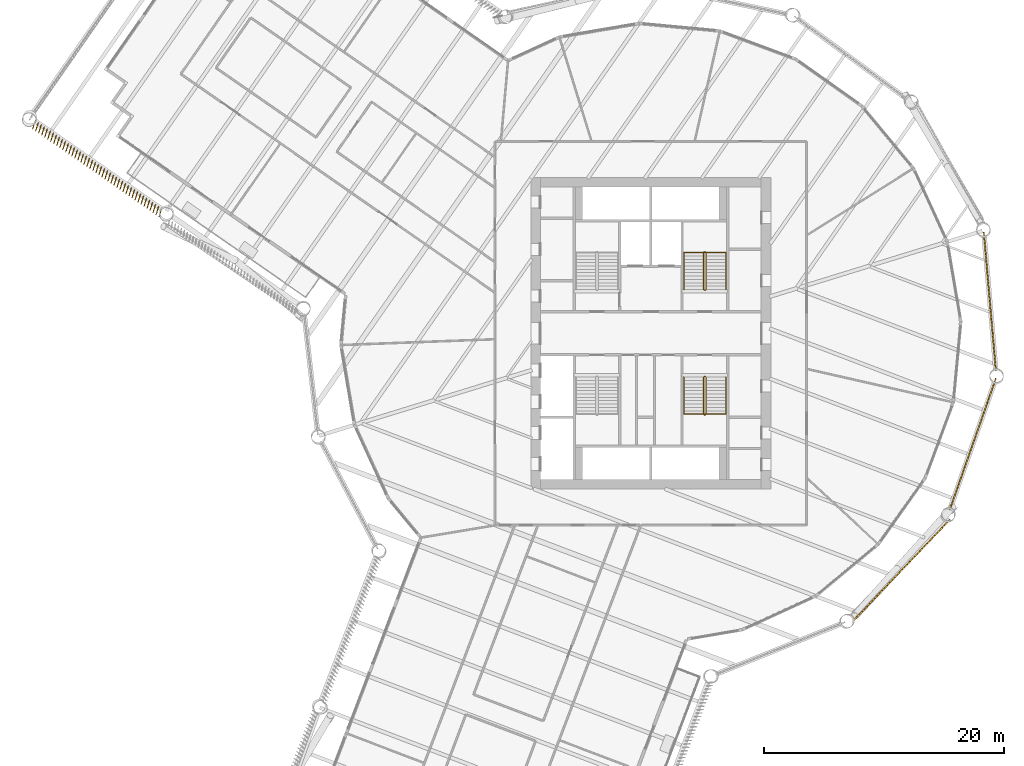
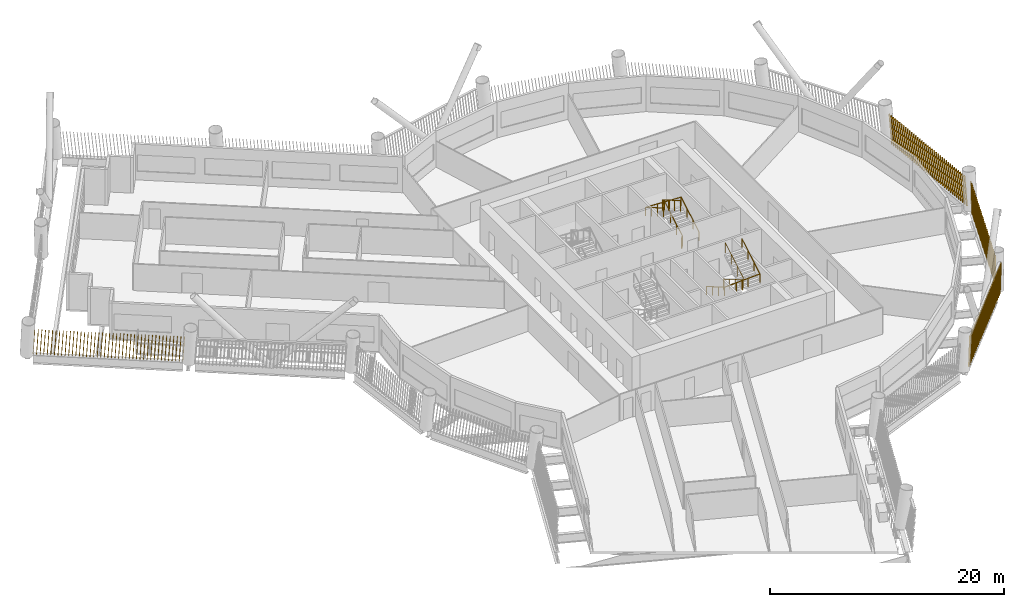
# One storey, part 20 of 23: 4 railings, 4 shading devices.
"""IFC4 building model written with IfcOpenShell, lengths in metres."""

from ifc_helpers import new_model, si_unit, direction, frame, frame_2d, origin, origin_2d, place, context, subcontext, project, spatial, rectangle, circle, composite_profile, extrude, material, type_object, element, save


model = new_model("IFC4")

# Units and contexts
model_context = context("Model", 3, precision=1e-05, world=origin(), true_north=direction((0.0, 1.0)))
body_context = subcontext(model_context, "Body", "Model", "MODEL_VIEW")
ifc_project = project(units=[si_unit("LENGTHUNIT", "METRE"), si_unit("AREAUNIT", "SQUARE_METRE"), si_unit("VOLUMEUNIT", "CUBIC_METRE"), si_unit("PLANEANGLEUNIT", "RADIAN"), si_unit("MASSUNIT", "GRAM", prefix="KILO")], contexts=[model_context])

# Site, building, storey
site_placement = place(None, origin())
site = spatial("IfcSite", under=ifc_project, at=site_placement, CompositionType="ELEMENT")
building_placement = place(site_placement, origin())
building = spatial("IfcBuilding", under=site, at=building_placement, Name="Tarsis Ring Headquarters", CompositionType="ELEMENT")
storey_placement = place(building_placement, frame((0.0, 0.0, 131.800048828125)))
storey = spatial("IfcBuildingStorey", under=building, at=storey_placement, Name="L30", CompositionType="ELEMENT", Elevation=131.800048828125)

# Railings
ifc_material_1 = material(Name="Steel S355", Category="steel")
railing_type_1 = type_object("IfcRailingType", Name="Core stair guard 1100", PredefinedType="GUARDRAIL", material=ifc_material_1)
railing_1_placement = place(storey_placement, frame((4.4599609375, 3.610107421875, 0.0)))
element("IfcRailing", 1, at=railing_1_placement, inside=storey, type_object=railing_type_1, Name="L30 ST2 stair guard 1", PredefinedType="GUARDRAIL", context=body_context, shape_type="SweptSolid", body=[
    extrude(circle(Radius=0.02392578125, at=origin_2d()), frame((0.0, 0.0, 1.076171875), z_axis=(1.0, 0.0, 0.0), x_axis=(0.0, 1.0, 0.0)), (0.0, 0.0, 1.0), 0.080078125),
    extrude(circle(Radius=0.02392578125, at=origin_2d()), frame((0.080078125, 0.0, 1.076171875), z_axis=(0.282693820306, 0.281314826061, 0.917031173188), x_axis=(-0.705375805398, 0.708833529934, 0.0)), (0.0, 0.0, 1.0), 0.177001953125),
    extrude(circle(Radius=0.02392578125, at=origin_2d()), frame((0.130126953125, 0.0498046875, 1.23828125), z_axis=(0.0, 0.864890721111, 0.501960198159), x_axis=(-1.0, 0.0, 0.0)), (0.0, 0.0, 1.0), 3.561279296875),
    extrude(circle(Radius=0.02392578125, at=origin_2d()), frame((0.130126953125, 3.1298828125, 3.02587890625), z_axis=(-0.707106781187, 0.707106781187, 0.0), x_axis=(-0.707106781187, -0.707106781187, 0.0)), (0.0, 0.0, 1.0), 0.07080078125),
    extrude(circle(Radius=0.02392578125, at=origin_2d()), frame((0.080078125, 3.179931640625, 3.02587890625), z_axis=(-1.0, 0.0, 0.0), x_axis=(0.0, -1.0, 0.0)), (0.0, 0.0, 1.0), 0.080078125),
    extrude(circle(Radius=0.02392578125, at=origin_2d()), frame((0.0, 3.179931640625, 3.02587890625), z_axis=(-0.282227285176, -0.282227285176, 0.916894497205), x_axis=(0.707106781187, -0.707106781187, 0.0)), (0.0, 0.0, 1.0), 0.17724609375),
    extrude(circle(Radius=0.02392578125, at=origin_2d()), frame((-0.050048828125, 3.1298828125, 3.1884765625), z_axis=(0.0, -0.864920483161, 0.501908913857), x_axis=(1.0, 0.0, 0.0)), (0.0, 0.0, 1.0), 3.56103515625),
    extrude(circle(Radius=0.02099609375, at=origin_2d()), origin(), (0.0, 0.0, 1.0), 1.052001953125),
    extrude(circle(Radius=0.02099609375, at=origin_2d()), frame((0.080078125, 0.0, 0.0)), (0.0, 0.0, 1.0), 1.052001953125),
    extrude(circle(Radius=0.02099609375, at=origin_2d()), frame((0.130126953125, 0.0498046875, 0.162353515625)), (0.0, 0.0, 1.0), 1.052001953125),
    extrude(circle(Radius=0.02099609375, at=origin_2d()), frame((0.130126953125, 1.076416015625, 0.75830078125)), (0.0, 0.0, 1.0), 1.052001953125),
    extrude(circle(Radius=0.02099609375, at=origin_2d()), frame((0.130126953125, 2.103271484375, 1.35400390625)), (0.0, 0.0, 1.0), 1.052001953125),
    extrude(circle(Radius=0.02099609375, at=origin_2d()), frame((0.130126953125, 3.1298828125, 1.949951171875)), (0.0, 0.0, 1.0), 1.052001953125),
    extrude(circle(Radius=0.02099609375, at=origin_2d()), frame((0.080078125, 3.179931640625, 1.949951171875)), (0.0, 0.0, 1.0), 1.052001953125),
    extrude(circle(Radius=0.02099609375, at=origin_2d()), frame((0.0, 3.179931640625, 1.949951171875)), (0.0, 0.0, 1.0), 1.052001953125),
    extrude(circle(Radius=0.02099609375, at=origin_2d()), frame((-0.050048828125, 3.1298828125, 2.112548828125)), (0.0, 0.0, 1.0), 1.052001953125),
    extrude(circle(Radius=0.02099609375, at=origin_2d()), frame((-0.050048828125, 2.103271484375, 2.708251953125)), (0.0, 0.0, 1.0), 1.052001953125),
    extrude(circle(Radius=0.02099609375, at=origin_2d()), frame((-0.050048828125, 1.076416015625, 3.30419921875)), (0.0, 0.0, 1.0), 1.052001953125),
    extrude(circle(Radius=0.02099609375, at=origin_2d()), frame((-0.050048828125, 0.0498046875, 3.89990234375)), (0.0, 0.0, 1.0), 1.052001953125),
])
railing_2_placement = place(storey_placement, frame((4.5400390625, -3.610107421875, 0.0)))
element("IfcRailing", 2, at=railing_2_placement, inside=storey, type_object=railing_type_1, Name="L30 ST4 stair guard 1", PredefinedType="GUARDRAIL", context=body_context, shape_type="SweptSolid", body=[
    extrude(circle(Radius=0.02392578125, at=origin_2d()), frame((0.0, 0.0, 1.076171875), z_axis=(-1.0, 0.0, 0.0), x_axis=(0.0, -1.0, 0.0)), (0.0, 0.0, 1.0), 0.080078125),
    extrude(circle(Radius=0.02392578125, at=origin_2d()), frame((-0.080078125, 0.0, 1.076171875), z_axis=(-0.282693820306, -0.281314826061, 0.917031173188), x_axis=(0.705375805398, -0.708833529934, 0.0)), (0.0, 0.0, 1.0), 0.177001953125),
    extrude(circle(Radius=0.02392578125, at=origin_2d()), frame((-0.130126953125, -0.0498046875, 1.23828125), z_axis=(0.0, -0.864890721111, 0.501960198159), x_axis=(1.0, 0.0, 0.0)), (0.0, 0.0, 1.0), 3.561279296875),
    extrude(circle(Radius=0.02392578125, at=origin_2d()), frame((-0.130126953125, -3.1298828125, 3.02587890625), z_axis=(0.707106781187, -0.707106781187, 0.0), x_axis=(0.707106781187, 0.707106781187, 0.0)), (0.0, 0.0, 1.0), 0.07080078125),
    extrude(circle(Radius=0.02392578125, at=origin_2d()), frame((-0.080078125, -3.179931640625, 3.02587890625), z_axis=(1.0, 0.0, 0.0), x_axis=(0.0, 1.0, 0.0)), (0.0, 0.0, 1.0), 0.080078125),
    extrude(circle(Radius=0.02392578125, at=origin_2d()), frame((0.0, -3.179931640625, 3.02587890625), z_axis=(0.282227285176, 0.282227285176, 0.916894497205), x_axis=(-0.707106781187, 0.707106781187, 0.0)), (0.0, 0.0, 1.0), 0.17724609375),
    extrude(circle(Radius=0.02392578125, at=origin_2d()), frame((0.050048828125, -3.1298828125, 3.1884765625), z_axis=(0.0, 0.864920483161, 0.501908913857), x_axis=(-1.0, 0.0, 0.0)), (0.0, 0.0, 1.0), 3.56103515625),
    extrude(circle(Radius=0.02099609375, at=origin_2d()), origin(), (0.0, 0.0, 1.0), 1.052001953125),
    extrude(circle(Radius=0.02099609375, at=origin_2d()), frame((-0.080078125, 0.0, 0.0)), (0.0, 0.0, 1.0), 1.052001953125),
    extrude(circle(Radius=0.02099609375, at=origin_2d()), frame((-0.130126953125, -0.0498046875, 0.162353515625)), (0.0, 0.0, 1.0), 1.052001953125),
    extrude(circle(Radius=0.02099609375, at=origin_2d()), frame((-0.130126953125, -1.076416015625, 0.75830078125)), (0.0, 0.0, 1.0), 1.052001953125),
    extrude(circle(Radius=0.02099609375, at=origin_2d()), frame((-0.130126953125, -2.103271484375, 1.35400390625)), (0.0, 0.0, 1.0), 1.052001953125),
    extrude(circle(Radius=0.02099609375, at=origin_2d()), frame((-0.130126953125, -3.1298828125, 1.949951171875)), (0.0, 0.0, 1.0), 1.052001953125),
    extrude(circle(Radius=0.02099609375, at=origin_2d()), frame((-0.080078125, -3.179931640625, 1.949951171875)), (0.0, 0.0, 1.0), 1.052001953125),
    extrude(circle(Radius=0.02099609375, at=origin_2d()), frame((0.0, -3.179931640625, 1.949951171875)), (0.0, 0.0, 1.0), 1.052001953125),
    extrude(circle(Radius=0.02099609375, at=origin_2d()), frame((0.050048828125, -3.1298828125, 2.112548828125)), (0.0, 0.0, 1.0), 1.052001953125),
    extrude(circle(Radius=0.02099609375, at=origin_2d()), frame((0.050048828125, -2.103271484375, 2.708251953125)), (0.0, 0.0, 1.0), 1.052001953125),
    extrude(circle(Radius=0.02099609375, at=origin_2d()), frame((0.050048828125, -1.076416015625, 3.30419921875)), (0.0, 0.0, 1.0), 1.052001953125),
    extrude(circle(Radius=0.02099609375, at=origin_2d()), frame((0.050048828125, -0.0498046875, 3.89990234375)), (0.0, 0.0, 1.0), 1.052001953125),
])
railing_type_2 = type_object("IfcRailingType", Name="Core stair handrail 900", PredefinedType="HANDRAIL", material=ifc_material_1)
railing_3_placement = place(storey_placement, frame((6.25, 3.659912109375, 0.162353515625)))
element("IfcRailing", 3, at=railing_3_placement, inside=storey, type_object=railing_type_2, Name="L30 ST2 stair handrail 1", PredefinedType="HANDRAIL", context=body_context, shape_type="SweptSolid", body=[
    extrude(circle(Radius=0.02392578125, at=origin_2d()), frame((0.0, 0.0, 0.8759765625), z_axis=(0.0, 0.864890721111, 0.501960198159), x_axis=(-1.0, 0.0, 0.0)), (0.0, 0.0, 1.0), 3.561279296875),
    extrude(circle(Radius=0.02392578125, at=origin_2d()), frame((0.0, 3.080078125, 2.66357421875), z_axis=(-0.998922641604, 0.0, 0.046406422943), x_axis=(0.0, -1.0, 0.0)), (0.0, 0.0, 1.0), 3.503662109375),
    extrude(circle(Radius=0.02392578125, at=origin_2d()), frame((-3.5, 3.080078125, 2.826171875), z_axis=(0.0, -0.864920483161, 0.501908913857), x_axis=(1.0, 0.0, 0.0)), (0.0, 0.0, 1.0), 3.56103515625),
    extrude(circle(Radius=0.02099609375, at=origin_2d()), origin(), (0.0, 0.0, 1.0), 0.851806640625),
    extrude(circle(Radius=0.02099609375, at=origin_2d()), frame((0.0, 1.026611328125, 0.595947265625)), (0.0, 0.0, 1.0), 0.851806640625),
    extrude(circle(Radius=0.02099609375, at=origin_2d()), frame((0.0, 2.053466796875, 1.191650390625)), (0.0, 0.0, 1.0), 0.851806640625),
    extrude(circle(Radius=0.02099609375, at=origin_2d()), frame((0.0, 3.080078125, 1.78759765625)), (0.0, 0.0, 1.0), 0.851806640625),
    extrude(circle(Radius=0.02099609375, at=origin_2d()), frame((-1.166748046875, 3.080078125, 1.841796875)), (0.0, 0.0, 1.0), 0.851806640625),
    extrude(circle(Radius=0.02099609375, at=origin_2d()), frame((-2.333251953125, 3.080078125, 1.89599609375)), (0.0, 0.0, 1.0), 0.851806640625),
    extrude(circle(Radius=0.02099609375, at=origin_2d()), frame((-3.5, 3.080078125, 1.9501953125)), (0.0, 0.0, 1.0), 0.851806640625),
    extrude(circle(Radius=0.02099609375, at=origin_2d()), frame((-3.5, 2.053466796875, 2.5458984375)), (0.0, 0.0, 1.0), 0.851806640625),
    extrude(circle(Radius=0.02099609375, at=origin_2d()), frame((-3.5, 1.026611328125, 3.141845703125)), (0.0, 0.0, 1.0), 0.851806640625),
    extrude(circle(Radius=0.02099609375, at=origin_2d()), frame((-3.5, 0.0, 3.737548828125)), (0.0, 0.0, 1.0), 0.851806640625),
])
railing_4_placement = place(storey_placement, frame((2.75, -3.659912109375, 0.162353515625)))
element("IfcRailing", 4, at=railing_4_placement, inside=storey, type_object=railing_type_2, Name="L30 ST4 stair handrail 1", PredefinedType="HANDRAIL", context=body_context, shape_type="SweptSolid", body=[
    extrude(circle(Radius=0.02392578125, at=origin_2d()), frame((0.0, 0.0, 0.8759765625), z_axis=(0.0, -0.864890721111, 0.501960198159), x_axis=(1.0, 0.0, 0.0)), (0.0, 0.0, 1.0), 3.561279296875),
    extrude(circle(Radius=0.02392578125, at=origin_2d()), frame((0.0, -3.080078125, 2.66357421875), z_axis=(0.998922641604, 0.0, 0.046406422943), x_axis=(0.0, 1.0, 0.0)), (0.0, 0.0, 1.0), 3.503662109375),
    extrude(circle(Radius=0.02392578125, at=origin_2d()), frame((3.5, -3.080078125, 2.826171875), z_axis=(0.0, 0.864920483161, 0.501908913857), x_axis=(-1.0, 0.0, 0.0)), (0.0, 0.0, 1.0), 3.56103515625),
    extrude(circle(Radius=0.02099609375, at=origin_2d()), origin(), (0.0, 0.0, 1.0), 0.851806640625),
    extrude(circle(Radius=0.02099609375, at=origin_2d()), frame((0.0, -1.026611328125, 0.595947265625)), (0.0, 0.0, 1.0), 0.851806640625),
    extrude(circle(Radius=0.02099609375, at=origin_2d()), frame((0.0, -2.053466796875, 1.191650390625)), (0.0, 0.0, 1.0), 0.851806640625),
    extrude(circle(Radius=0.02099609375, at=origin_2d()), frame((0.0, -3.080078125, 1.78759765625)), (0.0, 0.0, 1.0), 0.851806640625),
    extrude(circle(Radius=0.02099609375, at=origin_2d()), frame((1.166748046875, -3.080078125, 1.841796875)), (0.0, 0.0, 1.0), 0.851806640625),
    extrude(circle(Radius=0.02099609375, at=origin_2d()), frame((2.333251953125, -3.080078125, 1.89599609375)), (0.0, 0.0, 1.0), 0.851806640625),
    extrude(circle(Radius=0.02099609375, at=origin_2d()), frame((3.5, -3.080078125, 1.9501953125)), (0.0, 0.0, 1.0), 0.851806640625),
    extrude(circle(Radius=0.02099609375, at=origin_2d()), frame((3.5, -2.053466796875, 2.5458984375)), (0.0, 0.0, 1.0), 0.851806640625),
    extrude(circle(Radius=0.02099609375, at=origin_2d()), frame((3.5, -1.026611328125, 3.141845703125)), (0.0, 0.0, 1.0), 0.851806640625),
    extrude(circle(Radius=0.02099609375, at=origin_2d()), frame((3.5, 0.0, 3.737548828125)), (0.0, 0.0, 1.0), 0.851806640625),
])

# Shading devices
ifc_material_2 = material(Name="Terracotta baguette", Category="masonry")
shading_device_type = type_object("IfcShadingDeviceType", Name="Terracotta baguette screen", PredefinedType="USERDEFINED", material=ifc_material_2)
shading_device_1_placement = place(storey_placement, frame((16.916015625, -23.942138671875, 0.0), z_axis=(0.0, 0.0, 1.0), x_axis=(0.690830168204, 0.723016820402, 0.0)))
element("IfcShadingDevice", 5, at=shading_device_1_placement, inside=storey, type_object=shading_device_type, Name="Baguette screen L30-08", ObjectType="Terracotta baguette screen", PredefinedType="USERDEFINED", context=body_context, shape_type="SweptSolid", body=[
    extrude(composite_profile([rectangle(XDim=0.06005859375, YDim=0.1201171875, at=frame_2d((0.030029296875, 0.0))), rectangle(XDim=0.06005859375, YDim=0.1201171875, at=frame_2d((0.33251953125, 0.0))), rectangle(XDim=0.06005859375, YDim=0.1201171875, at=frame_2d((0.634765625, 0.0))), rectangle(XDim=0.06005859375, YDim=0.1201171875, at=frame_2d((0.937255859375, 0.0))), rectangle(XDim=0.06005859375, YDim=0.1201171875, at=frame_2d((1.239501953125, 0.0))), rectangle(XDim=0.06005859375, YDim=0.1201171875, at=frame_2d((1.5419921875, 0.0))), rectangle(XDim=0.06005859375, YDim=0.1201171875, at=frame_2d((1.844482421875, 0.0))), rectangle(XDim=0.06005859375, YDim=0.1201171875, at=frame_2d((2.146728515625, 0.0))), rectangle(XDim=0.06005859375, YDim=0.1201171875, at=frame_2d((2.44921875, 0.0))), rectangle(XDim=0.06005859375, YDim=0.1201171875, at=frame_2d((2.751708984375, 0.0))), rectangle(XDim=0.06005859375, YDim=0.1201171875, at=frame_2d((3.053955078125, 0.0))), rectangle(XDim=0.06005859375, YDim=0.1201171875, at=frame_2d((3.3564453125, 0.0))), rectangle(XDim=0.06005859375, YDim=0.1201171875, at=frame_2d((3.65869140625, 0.0))), rectangle(XDim=0.06005859375, YDim=0.1201171875, at=frame_2d((3.961181640625, 0.0))), rectangle(XDim=0.06005859375, YDim=0.1201171875, at=frame_2d((4.263671875, 0.0))), rectangle(XDim=0.06005859375, YDim=0.1201171875, at=frame_2d((4.56591796875, 0.0))), rectangle(XDim=0.06005859375, YDim=0.1201171875, at=frame_2d((4.868408203125, 0.0))), rectangle(XDim=0.06005859375, YDim=0.1201171875, at=frame_2d((5.1708984375, 0.0))), rectangle(XDim=0.06005859375, YDim=0.1201171875, at=frame_2d((5.47314453125, 0.0))), rectangle(XDim=0.06005859375, YDim=0.1201171875, at=frame_2d((5.775634765625, 0.0))), rectangle(XDim=0.06005859375, YDim=0.1201171875, at=frame_2d((6.077880859375, 0.0))), rectangle(XDim=0.06005859375, YDim=0.1201171875, at=frame_2d((6.38037109375, 0.0))), rectangle(XDim=0.06005859375, YDim=0.1201171875, at=frame_2d((6.682861328125, 0.0))), rectangle(XDim=0.06005859375, YDim=0.1201171875, at=frame_2d((6.985107421875, 0.0))), rectangle(XDim=0.06005859375, YDim=0.1201171875, at=frame_2d((7.28759765625, 0.0))), rectangle(XDim=0.06005859375, YDim=0.1201171875, at=frame_2d((7.590087890625, 0.0))), rectangle(XDim=0.06005859375, YDim=0.1201171875, at=frame_2d((7.892333984375, 0.0))), rectangle(XDim=0.06005859375, YDim=0.1201171875, at=frame_2d((8.19482421875, 0.0))), rectangle(XDim=0.06005859375, YDim=0.1201171875, at=frame_2d((8.4970703125, 0.0))), rectangle(XDim=0.06005859375, YDim=0.1201171875, at=frame_2d((8.799560546875, 0.0))), rectangle(XDim=0.06005859375, YDim=0.1201171875, at=frame_2d((9.10205078125, 0.0))), rectangle(XDim=0.06005859375, YDim=0.1201171875, at=frame_2d((9.404296875, 0.0))), rectangle(XDim=0.06005859375, YDim=0.1201171875, at=frame_2d((9.706787109375, 0.0))), rectangle(XDim=0.06005859375, YDim=0.1201171875, at=frame_2d((10.00927734375, 0.0))), rectangle(XDim=0.06005859375, YDim=0.1201171875, at=frame_2d((10.3115234375, 0.0))), rectangle(XDim=0.06005859375, YDim=0.1201171875, at=frame_2d((10.614013671875, 0.0))), rectangle(XDim=0.06005859375, YDim=0.1201171875, at=frame_2d((10.916259765625, 0.0))), rectangle(XDim=0.06005859375, YDim=0.1201171875, at=frame_2d((11.21875, 0.0)))]), origin(), (0.131495021261, 0.000894016795, 0.991316427846), 2.978515625),
])
shading_device_2_placement = place(storey_placement, frame((24.927001953125, -14.716796875, 0.0), z_axis=(0.0, 0.0, 1.0), x_axis=(0.331394465545, 0.943483450895, 0.0)))
element("IfcShadingDevice", 6, at=shading_device_2_placement, inside=storey, type_object=shading_device_type, Name="Baguette screen L30-09", ObjectType="Terracotta baguette screen", PredefinedType="USERDEFINED", context=body_context, shape_type="SweptSolid", body=[
    extrude(composite_profile([rectangle(XDim=0.06005859375, YDim=0.1201171875, at=frame_2d((0.030029296875, 0.0))), rectangle(XDim=0.06005859375, YDim=0.1201171875, at=frame_2d((0.33251953125, 0.0))), rectangle(XDim=0.06005859375, YDim=0.1201171875, at=frame_2d((0.634765625, 0.0))), rectangle(XDim=0.06005859375, YDim=0.1201171875, at=frame_2d((0.937255859375, 0.0))), rectangle(XDim=0.06005859375, YDim=0.1201171875, at=frame_2d((1.239501953125, 0.0))), rectangle(XDim=0.06005859375, YDim=0.1201171875, at=frame_2d((1.5419921875, 0.0))), rectangle(XDim=0.06005859375, YDim=0.1201171875, at=frame_2d((1.844482421875, 0.0))), rectangle(XDim=0.06005859375, YDim=0.1201171875, at=frame_2d((2.146728515625, 0.0))), rectangle(XDim=0.06005859375, YDim=0.1201171875, at=frame_2d((2.44921875, 0.0))), rectangle(XDim=0.06005859375, YDim=0.1201171875, at=frame_2d((2.751708984375, 0.0))), rectangle(XDim=0.06005859375, YDim=0.1201171875, at=frame_2d((3.053955078125, 0.0))), rectangle(XDim=0.06005859375, YDim=0.1201171875, at=frame_2d((3.3564453125, 0.0))), rectangle(XDim=0.06005859375, YDim=0.1201171875, at=frame_2d((3.65869140625, 0.0))), rectangle(XDim=0.06005859375, YDim=0.1201171875, at=frame_2d((3.961181640625, 0.0))), rectangle(XDim=0.06005859375, YDim=0.1201171875, at=frame_2d((4.263671875, 0.0))), rectangle(XDim=0.06005859375, YDim=0.1201171875, at=frame_2d((4.56591796875, 0.0))), rectangle(XDim=0.06005859375, YDim=0.1201171875, at=frame_2d((4.868408203125, 0.0))), rectangle(XDim=0.06005859375, YDim=0.1201171875, at=frame_2d((5.1708984375, 0.0))), rectangle(XDim=0.06005859375, YDim=0.1201171875, at=frame_2d((5.47314453125, 0.0))), rectangle(XDim=0.06005859375, YDim=0.1201171875, at=frame_2d((5.775634765625, 0.0))), rectangle(XDim=0.06005859375, YDim=0.1201171875, at=frame_2d((6.077880859375, 0.0))), rectangle(XDim=0.06005859375, YDim=0.1201171875, at=frame_2d((6.38037109375, 0.0))), rectangle(XDim=0.06005859375, YDim=0.1201171875, at=frame_2d((6.682861328125, 0.0))), rectangle(XDim=0.06005859375, YDim=0.1201171875, at=frame_2d((6.985107421875, 0.0))), rectangle(XDim=0.06005859375, YDim=0.1201171875, at=frame_2d((7.28759765625, 0.0))), rectangle(XDim=0.06005859375, YDim=0.1201171875, at=frame_2d((7.590087890625, 0.0))), rectangle(XDim=0.06005859375, YDim=0.1201171875, at=frame_2d((7.892333984375, 0.0))), rectangle(XDim=0.06005859375, YDim=0.1201171875, at=frame_2d((8.19482421875, 0.0))), rectangle(XDim=0.06005859375, YDim=0.1201171875, at=frame_2d((8.4970703125, 0.0))), rectangle(XDim=0.06005859375, YDim=0.1201171875, at=frame_2d((8.799560546875, 0.0))), rectangle(XDim=0.06005859375, YDim=0.1201171875, at=frame_2d((9.10205078125, 0.0))), rectangle(XDim=0.06005859375, YDim=0.1201171875, at=frame_2d((9.404296875, 0.0))), rectangle(XDim=0.06005859375, YDim=0.1201171875, at=frame_2d((9.706787109375, 0.0))), rectangle(XDim=0.06005859375, YDim=0.1201171875, at=frame_2d((10.00927734375, 0.0))), rectangle(XDim=0.06005859375, YDim=0.1201171875, at=frame_2d((10.3115234375, 0.0))), rectangle(XDim=0.06005859375, YDim=0.1201171875, at=frame_2d((10.614013671875, 0.0))), rectangle(XDim=0.06005859375, YDim=0.1201171875, at=frame_2d((10.916259765625, 0.0))), rectangle(XDim=0.06005859375, YDim=0.1201171875, at=frame_2d((11.21875, 0.0)))]), origin(), (0.129808945593, 0.000883571635, 0.991538631091), 2.977783203125),
])
shading_device_3_placement = place(storey_placement, frame((28.777099609375, -3.1337890625, 0.0), z_axis=(0.0, 0.0, 1.0), x_axis=(-0.086965014324, 0.996201927251, 0.0)))
element("IfcShadingDevice", 7, at=shading_device_3_placement, inside=storey, type_object=shading_device_type, Name="Baguette screen L30-10", ObjectType="Terracotta baguette screen", PredefinedType="USERDEFINED", context=body_context, shape_type="SweptSolid", body=[
    extrude(composite_profile([rectangle(XDim=0.06005859375, YDim=0.1201171875, at=frame_2d((0.030029296875, 0.0))), rectangle(XDim=0.06005859375, YDim=0.1201171875, at=frame_2d((0.33251953125, 0.0))), rectangle(XDim=0.06005859375, YDim=0.1201171875, at=frame_2d((0.634765625, 0.0))), rectangle(XDim=0.06005859375, YDim=0.1201171875, at=frame_2d((0.937255859375, 0.0))), rectangle(XDim=0.06005859375, YDim=0.1201171875, at=frame_2d((1.239501953125, 0.0))), rectangle(XDim=0.06005859375, YDim=0.1201171875, at=frame_2d((1.5419921875, 0.0))), rectangle(XDim=0.06005859375, YDim=0.1201171875, at=frame_2d((1.844482421875, 0.0))), rectangle(XDim=0.06005859375, YDim=0.1201171875, at=frame_2d((2.146728515625, 0.0))), rectangle(XDim=0.06005859375, YDim=0.1201171875, at=frame_2d((2.44921875, 0.0))), rectangle(XDim=0.06005859375, YDim=0.1201171875, at=frame_2d((2.751708984375, 0.0))), rectangle(XDim=0.06005859375, YDim=0.1201171875, at=frame_2d((3.053955078125, 0.0))), rectangle(XDim=0.06005859375, YDim=0.1201171875, at=frame_2d((3.3564453125, 0.0))), rectangle(XDim=0.06005859375, YDim=0.1201171875, at=frame_2d((3.65869140625, 0.0))), rectangle(XDim=0.06005859375, YDim=0.1201171875, at=frame_2d((3.961181640625, 0.0))), rectangle(XDim=0.06005859375, YDim=0.1201171875, at=frame_2d((4.263671875, 0.0))), rectangle(XDim=0.06005859375, YDim=0.1201171875, at=frame_2d((4.56591796875, 0.0))), rectangle(XDim=0.06005859375, YDim=0.1201171875, at=frame_2d((4.868408203125, 0.0))), rectangle(XDim=0.06005859375, YDim=0.1201171875, at=frame_2d((5.1708984375, 0.0))), rectangle(XDim=0.06005859375, YDim=0.1201171875, at=frame_2d((5.47314453125, 0.0))), rectangle(XDim=0.06005859375, YDim=0.1201171875, at=frame_2d((5.775634765625, 0.0))), rectangle(XDim=0.06005859375, YDim=0.1201171875, at=frame_2d((6.077880859375, 0.0))), rectangle(XDim=0.06005859375, YDim=0.1201171875, at=frame_2d((6.38037109375, 0.0))), rectangle(XDim=0.06005859375, YDim=0.1201171875, at=frame_2d((6.682861328125, 0.0))), rectangle(XDim=0.06005859375, YDim=0.1201171875, at=frame_2d((6.985107421875, 0.0))), rectangle(XDim=0.06005859375, YDim=0.1201171875, at=frame_2d((7.28759765625, 0.0))), rectangle(XDim=0.06005859375, YDim=0.1201171875, at=frame_2d((7.590087890625, 0.0))), rectangle(XDim=0.06005859375, YDim=0.1201171875, at=frame_2d((7.892333984375, 0.0))), rectangle(XDim=0.06005859375, YDim=0.1201171875, at=frame_2d((8.19482421875, 0.0))), rectangle(XDim=0.06005859375, YDim=0.1201171875, at=frame_2d((8.4970703125, 0.0))), rectangle(XDim=0.06005859375, YDim=0.1201171875, at=frame_2d((8.799560546875, 0.0))), rectangle(XDim=0.06005859375, YDim=0.1201171875, at=frame_2d((9.10205078125, 0.0))), rectangle(XDim=0.06005859375, YDim=0.1201171875, at=frame_2d((9.404296875, 0.0))), rectangle(XDim=0.06005859375, YDim=0.1201171875, at=frame_2d((9.706787109375, 0.0))), rectangle(XDim=0.06005859375, YDim=0.1201171875, at=frame_2d((10.00927734375, 0.0))), rectangle(XDim=0.06005859375, YDim=0.1201171875, at=frame_2d((10.3115234375, 0.0))), rectangle(XDim=0.06005859375, YDim=0.1201171875, at=frame_2d((10.614013671875, 0.0))), rectangle(XDim=0.06005859375, YDim=0.1201171875, at=frame_2d((10.916259765625, 0.0))), rectangle(XDim=0.06005859375, YDim=0.1201171875, at=frame_2d((11.21875, 0.0)))]), origin(), (0.129808992476, 0.000882862597, 0.991538625584), 2.977783203125),
])
shading_device_4_placement = place(storey_placement, frame((-51.38037109375, 17.731201171875, 0.0), z_axis=(0.0, 0.0, 1.0), x_axis=(0.820750075689, -0.571279897063, 0.0)))
element("IfcShadingDevice", 8, at=shading_device_4_placement, inside=storey, type_object=shading_device_type, Name="Baguette screen L30-19", ObjectType="Terracotta baguette screen", PredefinedType="USERDEFINED", context=body_context, shape_type="SweptSolid", body=[
    extrude(composite_profile([rectangle(XDim=0.06005859375, YDim=0.1201171875, at=frame_2d((0.030029296875, 0.0))), rectangle(XDim=0.06005859375, YDim=0.1201171875, at=frame_2d((0.335693359375, 0.0))), rectangle(XDim=0.06005859375, YDim=0.1201171875, at=frame_2d((0.6416015625, 0.0))), rectangle(XDim=0.06005859375, YDim=0.1201171875, at=frame_2d((0.947265625, 0.0))), rectangle(XDim=0.06005859375, YDim=0.1201171875, at=frame_2d((1.253173828125, 0.0))), rectangle(XDim=0.06005859375, YDim=0.1201171875, at=frame_2d((1.558837890625, 0.0))), rectangle(XDim=0.06005859375, YDim=0.1201171875, at=frame_2d((1.864501953125, 0.0))), rectangle(XDim=0.06005859375, YDim=0.1201171875, at=frame_2d((2.17041015625, 0.0))), rectangle(XDim=0.06005859375, YDim=0.1201171875, at=frame_2d((2.47607421875, 0.0))), rectangle(XDim=0.06005859375, YDim=0.1201171875, at=frame_2d((2.781982421875, 0.0))), rectangle(XDim=0.06005859375, YDim=0.1201171875, at=frame_2d((3.087646484375, 0.0))), rectangle(XDim=0.06005859375, YDim=0.1201171875, at=frame_2d((3.393310546875, 0.0))), rectangle(XDim=0.06005859375, YDim=0.1201171875, at=frame_2d((3.69921875, 0.0))), rectangle(XDim=0.06005859375, YDim=0.1201171875, at=frame_2d((4.0048828125, 0.0))), rectangle(XDim=0.06005859375, YDim=0.1201171875, at=frame_2d((4.310791015625, 0.0))), rectangle(XDim=0.06005859375, YDim=0.1201171875, at=frame_2d((4.616455078125, 0.0))), rectangle(XDim=0.06005859375, YDim=0.1201171875, at=frame_2d((4.922119140625, 0.0))), rectangle(XDim=0.06005859375, YDim=0.1201171875, at=frame_2d((5.22802734375, 0.0))), rectangle(XDim=0.06005859375, YDim=0.1201171875, at=frame_2d((5.53369140625, 0.0))), rectangle(XDim=0.06005859375, YDim=0.1201171875, at=frame_2d((5.839599609375, 0.0))), rectangle(XDim=0.06005859375, YDim=0.1201171875, at=frame_2d((6.145263671875, 0.0))), rectangle(XDim=0.06005859375, YDim=0.1201171875, at=frame_2d((6.451171875, 0.0))), rectangle(XDim=0.06005859375, YDim=0.1201171875, at=frame_2d((6.7568359375, 0.0))), rectangle(XDim=0.06005859375, YDim=0.1201171875, at=frame_2d((7.0625, 0.0))), rectangle(XDim=0.06005859375, YDim=0.1201171875, at=frame_2d((7.368408203125, 0.0))), rectangle(XDim=0.06005859375, YDim=0.1201171875, at=frame_2d((7.674072265625, 0.0))), rectangle(XDim=0.06005859375, YDim=0.1201171875, at=frame_2d((7.97998046875, 0.0))), rectangle(XDim=0.06005859375, YDim=0.1201171875, at=frame_2d((8.28564453125, 0.0))), rectangle(XDim=0.06005859375, YDim=0.1201171875, at=frame_2d((8.59130859375, 0.0))), rectangle(XDim=0.06005859375, YDim=0.1201171875, at=frame_2d((8.897216796875, 0.0))), rectangle(XDim=0.06005859375, YDim=0.1201171875, at=frame_2d((9.202880859375, 0.0))), rectangle(XDim=0.06005859375, YDim=0.1201171875, at=frame_2d((9.5087890625, 0.0))), rectangle(XDim=0.06005859375, YDim=0.1201171875, at=frame_2d((9.814453125, 0.0))), rectangle(XDim=0.06005859375, YDim=0.1201171875, at=frame_2d((10.1201171875, 0.0))), rectangle(XDim=0.06005859375, YDim=0.1201171875, at=frame_2d((10.426025390625, 0.0))), rectangle(XDim=0.06005859375, YDim=0.1201171875, at=frame_2d((10.731689453125, 0.0))), rectangle(XDim=0.06005859375, YDim=0.1201171875, at=frame_2d((11.03759765625, 0.0))), rectangle(XDim=0.06005859375, YDim=0.1201171875, at=frame_2d((11.34326171875, 0.0))), rectangle(XDim=0.06005859375, YDim=0.1201171875, at=frame_2d((11.64892578125, 0.0))), rectangle(XDim=0.06005859375, YDim=0.1201171875, at=frame_2d((11.954833984375, 0.0))), rectangle(XDim=0.06005859375, YDim=0.1201171875, at=frame_2d((12.260498046875, 0.0))), rectangle(XDim=0.06005859375, YDim=0.1201171875, at=frame_2d((12.56640625, 0.0))), rectangle(XDim=0.06005859375, YDim=0.1201171875, at=frame_2d((12.8720703125, 0.0)))]), origin(), (0.068015111733, -0.205902549639, 0.976205964245), 3.024658203125),
])

save(model, "model.ifc")
